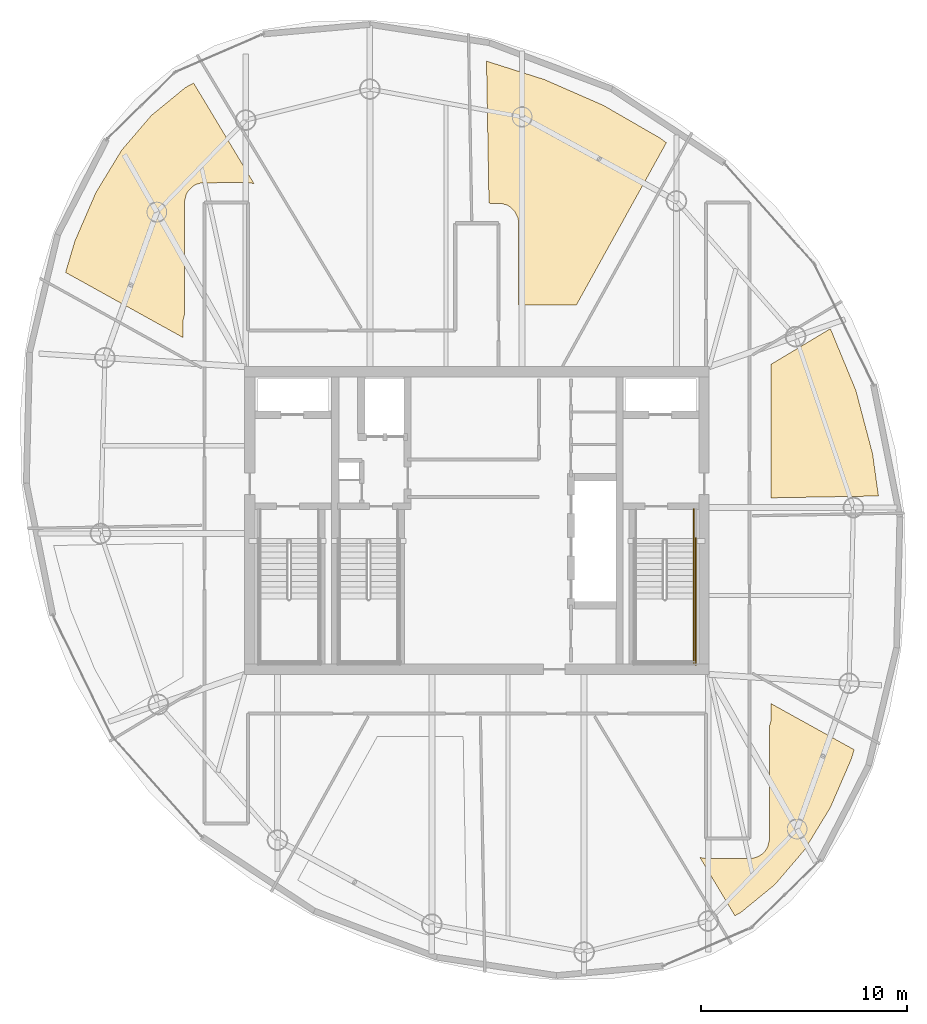
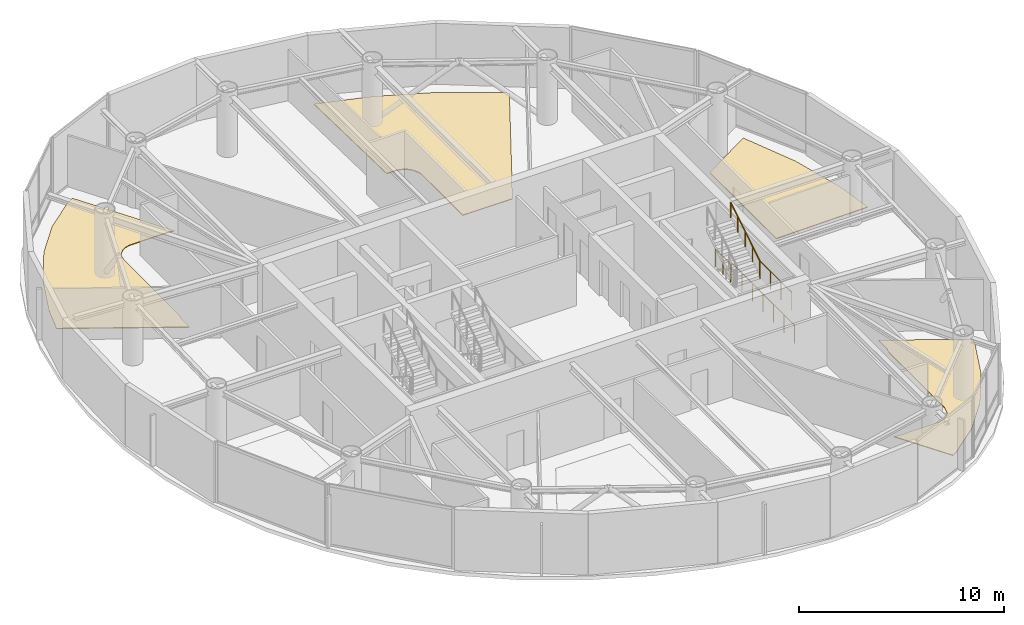
# One storey, part 21 of 21: 4 coverings, 4 railings.
"""IFC4 building model written with IfcOpenShell, lengths in metres."""

from ifc_helpers import new_model, si_unit, direction, frame, origin, origin_2d, place, context, subcontext, project, spatial, polyline, circle, outline, extrude, material, layer, layer_set, type_object, element, save


model = new_model("IFC4")

# Units and contexts
model_context = context("Model", 3, precision=1e-05, world=origin(), true_north=direction((0.0, 1.0)))
body_context = subcontext(model_context, "Body", "Model", "MODEL_VIEW")
ifc_project = project(units=[si_unit("LENGTHUNIT", "METRE"), si_unit("AREAUNIT", "SQUARE_METRE"), si_unit("VOLUMEUNIT", "CUBIC_METRE"), si_unit("PLANEANGLEUNIT", "RADIAN"), si_unit("MASSUNIT", "GRAM", prefix="KILO")], contexts=[model_context])

# Site, building, storey
site_placement = place(None, origin())
site = spatial("IfcSite", under=ifc_project, at=site_placement, CompositionType="ELEMENT")
building_placement = place(site_placement, origin())
building = spatial("IfcBuilding", under=site, at=building_placement, Name="Bramvorn Convention Spire", CompositionType="ELEMENT")
storey_placement = place(building_placement, frame((0.0, 0.0, 257.449951171875)))
storey = spatial("IfcBuildingStorey", under=building, at=storey_placement, Name="L65", CompositionType="ELEMENT", Elevation=257.449951171875)

# Coverings
ifc_material_1 = material(Name="Calcium-Sulphate Raised Access Office Floor", Category="steel")
ifc_layer = layer(ifc_material_1, 0.044921875)
ifc_layer_set = layer_set([ifc_layer], Name="Calcium-Sulphate Raised Access Office Floor - FLR-RAISED-45")
covering_type = type_object("IfcCoveringType", Name="FLR-RAISED-45", PredefinedType="FLOORING", material=ifc_layer_set)
covering_1_placement = place(storey_placement, origin())
element("IfcCovering", 1, at=covering_1_placement, inside=storey, type_object=covering_type, Name="L65 Partner Office Chamber 1 1 raised floor finish", PredefinedType="FLOORING", context=body_context, shape_type="SweptSolid", body=[
    extrude(outline(polyline([(55.118896484375, 35.29443359375), (52.25, 33.570556640625), (52.25, 27.098876953125), (57.44580078125, 27.189697265625), (57.161376953125, 29.23583984375), (56.35400390625, 32.295654296875), (55.118896484375, 35.29443359375)])), origin(), (0.0, 0.0, 1.0), 0.045166015625),
])
covering_2_placement = place(storey_placement, origin())
element("IfcCovering", 2, at=covering_2_placement, inside=storey, type_object=covering_type, Name="L65 Partner Office Chamber 3 3 raised floor finish", PredefinedType="FLOORING", context=body_context, shape_type="SweptSolid", body=[
    extrude(outline(polyline([(38.581787109375, 41.3701171875), (39.1865234375, 41.360107421875), (39.469970703125, 41.274169921875), (39.632568359375, 41.175537109375), (39.825439453125, 40.982421875), (39.989501953125, 40.641357421875), (40.02001953125, 40.39990234375), (40.02001953125, 36.449951171875), (42.82080078125, 36.449951171875), (47.17138671875, 44.298583984375), (46.86669921875, 44.527099609375), (44.132080078125, 46.106689453125), (41.2734375, 47.358642578125), (38.461669921875, 48.252685546875), (38.581787109375, 41.3701171875)])), origin(), (0.0, 0.0, 1.0), 0.045166015625),
])
covering_3_placement = place(storey_placement, origin())
element("IfcCovering", 3, at=covering_3_placement, inside=storey, type_object=covering_type, Name="L65 Associate Office Chamber 5 5 raised floor finish", PredefinedType="FLOORING", context=body_context, shape_type="SweptSolid", body=[
    extrude(outline(polyline([(18.526611328125, 39.543701171875), (18.072509765625, 38.017822265625), (23.75, 34.870849609375), (23.754150390625, 35.683349609375), (23.830078125, 35.95751953125), (23.8310546875, 41.441650390625), (23.920654296875, 41.809326171875), (24.0244140625, 41.982421875), (24.217529296875, 42.175537109375), (24.390625, 42.279296875), (24.65185546875, 42.3583984375), (26.89990234375, 42.3701171875), (27.20166015625, 42.321044921875), (24.27490234375, 47.19189453125), (23.87841796875, 46.9755859375), (22.225830078125, 45.623291015625), (20.782470703125, 43.93115234375), (19.546142578125, 41.898681640625), (18.526611328125, 39.543701171875)])), origin(), (0.0, 0.0, 1.0), 0.045166015625),
])
covering_4_placement = place(storey_placement, origin())
element("IfcCovering", 4, at=covering_4_placement, inside=storey, type_object=covering_type, Name="L65 Tenant Briefing Room 11 raised floor finish", PredefinedType="FLOORING", context=body_context, shape_type="SweptSolid", body=[
    extrude(outline(polyline([(50.4931640625, 6.858154296875), (50.78125, 7.015380859375), (52.433837890625, 8.36767578125), (53.877197265625, 10.059814453125), (55.11328125, 12.09228515625), (56.13330078125, 14.447021484375), (56.2685546875, 14.90185546875), (52.25, 17.129150390625), (52.245849609375, 16.316650390625), (52.169921875, 16.04248046875), (52.1689453125, 10.558349609375), (52.079345703125, 10.190673828125), (51.9755859375, 10.017578125), (51.782470703125, 9.824462890625), (51.609375, 9.720703125), (51.34814453125, 9.6416015625), (49.10009765625, 9.6298828125), (48.79833984375, 9.678955078125), (50.4931640625, 6.858154296875)])), origin(), (0.0, 0.0, 1.0), 0.045166015625),
])

# Railings
ifc_material_2 = material(Name="Painted Steel Balustrade & Guardrail", Category="steel")
railing_type_1 = type_object("IfcRailingType", Name="RL-STAIR-GUARD-1100", PredefinedType="GUARDRAIL", material=ifc_material_2)
railing_1_placement = place(storey_placement, frame((48.5, 22.199951171875, 1.925048828125)))
element("IfcRailing", 5, at=railing_1_placement, inside=storey, type_object=railing_type_1, Name="L65 ST2 stair guard 4", PredefinedType="GUARDRAIL", context=body_context, shape_type="SweptSolid", body=[
    extrude(circle(Radius=0.02392578125, at=origin_2d()), frame((0.0, 0.0, 1.076171875), z_axis=(0.0, -1.0, 0.0), x_axis=(1.0, 0.0, 0.0)), (0.0, 0.0, 1.0), 3.099853515625),
    extrude(circle(Radius=0.02099609375, at=origin_2d()), origin(), (0.0, 0.0, 1.0), 1.052001953125),
    extrude(circle(Radius=0.02099609375, at=origin_2d()), frame((0.0, -1.033203125, 0.0)), (0.0, 0.0, 1.0), 1.052001953125),
    extrude(circle(Radius=0.02099609375, at=origin_2d()), frame((0.0, -2.066650390625, 0.0)), (0.0, 0.0, 1.0), 1.052001953125),
    extrude(circle(Radius=0.02099609375, at=origin_2d()), frame((0.0, -3.099853515625, 0.0)), (0.0, 0.0, 1.0), 1.052001953125),
])
railing_2_placement = place(storey_placement, frame((48.5, 26.550048828125, 0.0)))
element("IfcRailing", 6, at=railing_2_placement, inside=storey, type_object=railing_type_1, Name="L65 ST2 stair guard 9", PredefinedType="GUARDRAIL", context=body_context, shape_type="SweptSolid", body=[
    extrude(circle(Radius=0.02392578125, at=origin_2d()), frame((0.0, 0.0, 1.076171875), z_axis=(0.0, -1.0, 0.0), x_axis=(1.0, 0.0, 0.0)), (0.0, 0.0, 1.0), 1.5),
    extrude(circle(Radius=0.02099609375, at=origin_2d()), origin(), (0.0, 0.0, 1.0), 1.052001953125),
    extrude(circle(Radius=0.02099609375, at=origin_2d()), frame((0.0, -0.75, 0.0)), (0.0, 0.0, 1.0), 1.052001953125),
    extrude(circle(Radius=0.02099609375, at=origin_2d()), frame((0.0, -1.5, 0.0)), (0.0, 0.0, 1.0), 1.052001953125),
])
railing_3_placement = place(storey_placement, frame((48.60009765625, 25.14990234375, 0.0)))
element("IfcRailing", 7, at=railing_3_placement, inside=storey, type_object=railing_type_1, Name="L65 ST2 stair guard 11", PredefinedType="GUARDRAIL", context=body_context, shape_type="SweptSolid", body=[
    extrude(circle(Radius=0.02392578125, at=origin_2d()), frame((0.0, 0.0, 1.076171875), z_axis=(0.0, -1.0, 0.0), x_axis=(1.0, 0.0, 0.0)), (0.0, 0.0, 1.0), 6.14990234375),
    extrude(circle(Radius=0.02099609375, at=origin_2d()), origin(), (0.0, 0.0, 1.0), 1.052001953125),
    extrude(circle(Radius=0.02099609375, at=origin_2d()), frame((0.0, -1.02490234375, 0.0)), (0.0, 0.0, 1.0), 1.052001953125),
    extrude(circle(Radius=0.02099609375, at=origin_2d()), frame((0.0, -2.050048828125, 0.0)), (0.0, 0.0, 1.0), 1.052001953125),
    extrude(circle(Radius=0.02099609375, at=origin_2d()), frame((0.0, -3.074951171875, 0.0)), (0.0, 0.0, 1.0), 1.052001953125),
    extrude(circle(Radius=0.02099609375, at=origin_2d()), frame((0.0, -4.099853515625, 0.0)), (0.0, 0.0, 1.0), 1.052001953125),
    extrude(circle(Radius=0.02099609375, at=origin_2d()), frame((0.0, -5.125, 0.0)), (0.0, 0.0, 1.0), 1.052001953125),
    extrude(circle(Radius=0.02099609375, at=origin_2d()), frame((0.0, -6.14990234375, 0.0)), (0.0, 0.0, 1.0), 1.052001953125),
])
ifc_material_3 = material(Name="Brushed Bronze Tubular Handrail", Category="aluminium")
railing_type_2 = type_object("IfcRailingType", Name="RL-STAIR-HR-920", PredefinedType="HANDRAIL", material=ifc_material_3)
railing_4_placement = place(storey_placement, frame((48.5, 22.199951171875, 2.10009765625)))
element("IfcRailing", 8, at=railing_4_placement, inside=storey, type_object=railing_type_2, Name="L65 ST2 stair handrail 2", PredefinedType="HANDRAIL", context=body_context, shape_type="SweptSolid", body=[
    extrude(circle(Radius=0.02392578125, at=origin_2d()), frame((0.0, 0.0, 0.89599609375), z_axis=(0.0, 0.852179220489, 0.52325001306), x_axis=(-1.0, 0.0, 0.0)), (0.0, 0.0, 1.0), 3.344482421875),
    extrude(circle(Radius=0.02099609375, at=origin_2d()), origin(), (0.0, 0.0, 1.0), 0.871826171875),
    extrude(circle(Radius=0.02099609375, at=origin_2d()), frame((0.0, 0.71240234375, 0.4375)), (0.0, 0.0, 1.0), 0.871826171875),
    extrude(circle(Radius=0.02099609375, at=origin_2d()), frame((0.0, 1.425048828125, 0.875)), (0.0, 0.0, 1.0), 0.871826171875),
    extrude(circle(Radius=0.02099609375, at=origin_2d()), frame((0.0, 2.1376953125, 1.3125)), (0.0, 0.0, 1.0), 0.871826171875),
    extrude(circle(Radius=0.02099609375, at=origin_2d()), frame((0.0, 2.85009765625, 1.75)), (0.0, 0.0, 1.0), 0.871826171875),
])

save(model, "model.ifc")
